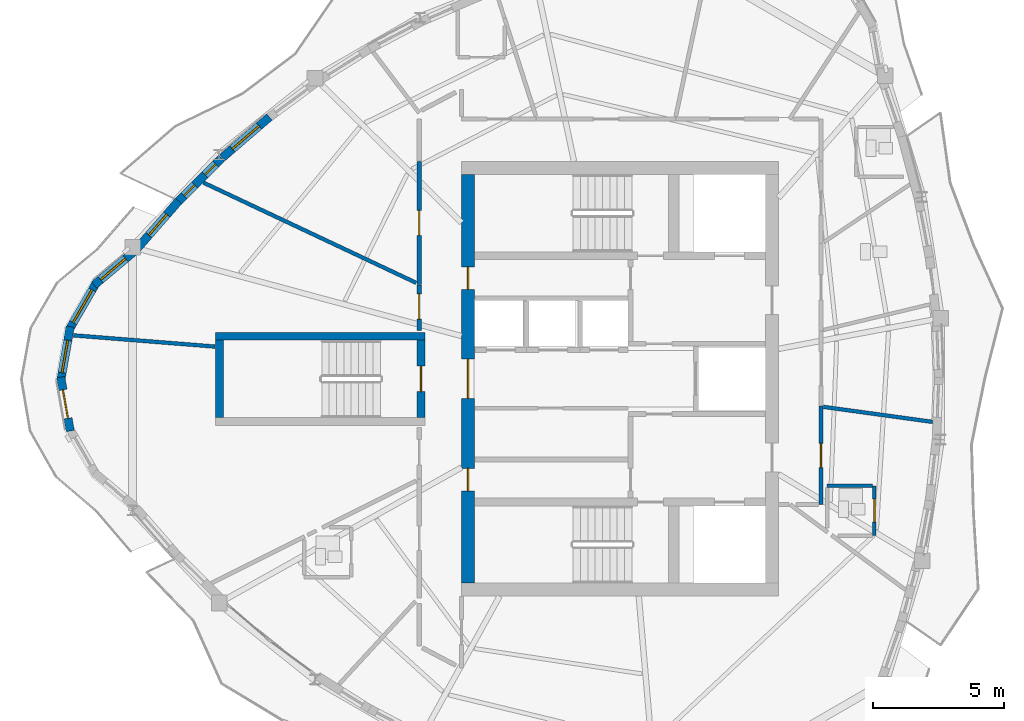
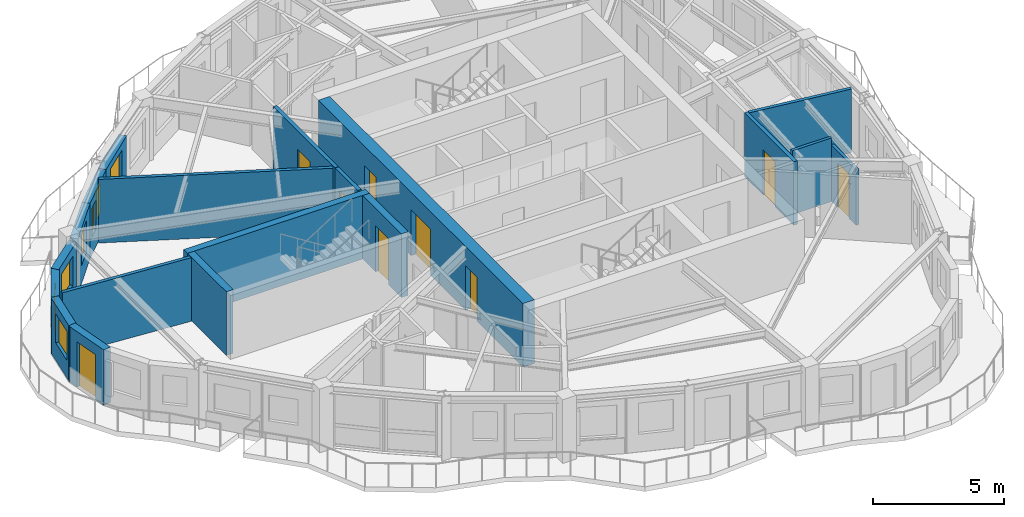
# One storey, part 6 of 13: 19 walls, 9 doors, 7 windows, 16 openings.
"""IFC4 building model written with IfcOpenShell, lengths in metres."""

from ifc_helpers import new_model, si_unit, direction, frame, frame_2d, origin, place, context, subcontext, project, spatial, rectangle, extrude, source, transform, mapped, material, layer, layer_set, type_object, element, fill, save


model = new_model("IFC4")

# Units and contexts
model_context = context("Model", 3, precision=1e-05, world=origin(), true_north=direction((0.0, 1.0)))
body_context = subcontext(model_context, "Body", "Model", "MODEL_VIEW")
ifc_project = project(units=[si_unit("LENGTHUNIT", "METRE"), si_unit("AREAUNIT", "SQUARE_METRE"), si_unit("VOLUMEUNIT", "CUBIC_METRE"), si_unit("PLANEANGLEUNIT", "RADIAN"), si_unit("MASSUNIT", "GRAM", prefix="KILO")], contexts=[model_context])

# Site, building, storey
site_placement = place(None, origin())
site = spatial("IfcSite", under=ifc_project, at=site_placement, CompositionType="ELEMENT")
building_placement = place(site_placement, origin())
building = spatial("IfcBuilding", under=site, at=building_placement, Name="Qafzar Sky-Pleat Residences", CompositionType="ELEMENT")
storey_placement = place(building_placement, frame((0.0, 0.0, 195.60009765625)))
storey = spatial("IfcBuildingStorey", under=building, at=storey_placement, Name="L58", CompositionType="ELEMENT", Elevation=195.60009765625)

# Wall, opening, door
ifc_material_1 = material(Name="Acoustic gypsum plasterboard partition", Category="gypsum")
ifc_layer_1 = layer(ifc_material_1, 0.159912109375)
ifc_layer_set_1 = layer_set([ifc_layer_1], Name="Acoustic gypsum plasterboard partition")
wall_type_1 = type_object("IfcWallType", Name="PART-COR-160", PredefinedType="PARTITIONING", material=ifc_layer_set_1)
wall_1_placement = place(storey_placement, frame((22.679931640625, 29.595947265625, 0.0), z_axis=(0.0, 0.0, 1.0), x_axis=(0.0, 1.0, 0.0)))
wall_1 = element("IfcWall", 1, at=wall_1_placement, inside=storey, type_object=wall_type_1, Name="L58 Partition Wall PART-L58-PW-002", PredefinedType="PARTITIONING", context=body_context, shape_type="SweptSolid", body=[
    extrude(rectangle(XDim=4.7041015625, YDim=0.159912109375, at=frame_2d((2.35205078125, 0.0))), origin(), (0.0, 0.0, 1.0), 2.9599609375),
])
opening_1_placement = place(wall_1_placement, frame((1.8798828125, 0.0, 0.0)))
opening_1 = element("IfcOpeningElement", 2, at=opening_1_placement, cuts=wall_1, Name="Opening ID-06", PredefinedType="OPENING", context=body_context, shape_type="SweptSolid", body=[
    extrude(rectangle(XDim=0.9599609375, YDim=2.10009765625, at=frame_2d((0.47998046875, 1.050048828125))), frame((0.0, 0.08984375, 0.0), z_axis=(0.0, -1.0, 0.0), x_axis=(1.0, 0.0, 0.0)), (0.0, 0.0, 1.0), 0.179931640625),
])
ifc_material_2 = material(Name="Timber-faced fire door", Category="wood")
door_type_1 = type_object("IfcDoorType", Name="DR-STD-960", OperationType="NOTDEFINED", PredefinedType="DOOR", material=ifc_material_2)
shared_shape_1 = source(origin(), body_context, "Body", "SweptSolid", [
    extrude(rectangle(XDim=0.9599609375, YDim=2.10009765625, at=frame_2d((0.47998046875, 1.050048828125))), frame((0.0, 0.02490234375, 0.0), z_axis=(0.0, -1.0, 0.0), x_axis=(1.0, 0.0, 0.0)), (0.0, 0.0, 1.0), 0.050048828125),
])
door_1_placement = place(opening_1_placement, origin())
door_1 = element("IfcDoor", 3, at=door_1_placement, inside=storey, type_object=door_type_1, Name="L58 Quiet Prayer Room Door", OperationType="SINGLE_SWING_LEFT", OverallHeight=2.10009765625, OverallWidth=0.9599609375, PredefinedType="DOOR", context=body_context, shape_type="MappedRepresentation", body=[
    mapped(shared_shape_1, transform((0.0, 0.0, 0.0), x_axis=(1.0, 0.0, 0.0), y_axis=(0.0, 1.0, 0.0), z_axis=(0.0, 0.0, 1.0), scale=1.0)),
])
fill(opening_1, door_1)

wall_2_placement = place(storey_placement, frame((38.02001953125, 24.958984375, 0.0), z_axis=(0.0, 0.0, 1.0), x_axis=(0.0, -1.0, 0.0)))
wall_2 = element("IfcWall", 4, at=wall_2_placement, inside=storey, type_object=wall_type_1, Name="L58 Partition Wall PART-L58-PW-005", PredefinedType="PARTITIONING", context=body_context, shape_type="SweptSolid", body=[
    extrude(rectangle(XDim=3.759033203125, YDim=0.159912109375, at=frame_2d((1.87939453125, 0.0))), origin(), (0.0, 0.0, 1.0), 2.9599609375),
])
opening_2_placement = place(wall_2_placement, frame((1.427490234375, 0.0, 0.0)))
opening_2 = element("IfcOpeningElement", 5, at=opening_2_placement, cuts=wall_2, Name="Opening ID-04", PredefinedType="OPENING", context=body_context, shape_type="SweptSolid", body=[
    extrude(rectangle(XDim=0.919921875, YDim=2.10009765625, at=frame_2d((0.4599609375, 1.050048828125))), frame((0.0, 0.08984375, 0.0), z_axis=(0.0, -1.0, 0.0), x_axis=(1.0, 0.0, 0.0)), (0.0, 0.0, 1.0), 0.179931640625),
])
door_type_2 = type_object("IfcDoorType", Name="DR-BED-920", OperationType="NOTDEFINED", PredefinedType="DOOR", material=ifc_material_2)
shared_shape_2 = source(origin(), body_context, "Body", "SweptSolid", [
    extrude(rectangle(XDim=0.919921875, YDim=2.10009765625, at=frame_2d((0.4599609375, 1.050048828125))), frame((0.0, 0.02490234375, 0.0), z_axis=(0.0, -1.0, 0.0), x_axis=(1.0, 0.0, 0.0)), (0.0, 0.0, 1.0), 0.050048828125),
])
door_2_placement = place(opening_2_placement, origin())
door_2 = element("IfcDoor", 6, at=door_2_placement, inside=storey, type_object=door_type_2, Name="L58 Co-Living Bedroom 2 Door", OperationType="SINGLE_SWING_LEFT", OverallHeight=2.10009765625, OverallWidth=0.919921875, PredefinedType="DOOR", context=body_context, shape_type="MappedRepresentation", body=[
    mapped(shared_shape_2, transform((0.0, 0.0, 0.0), x_axis=(1.0, 0.0, 0.0), y_axis=(0.0, 1.0, 0.0), z_axis=(0.0, 0.0, 1.0), scale=1.0)),
])
fill(opening_2, door_2)

wall_3_placement = place(storey_placement, frame((22.679931640625, 27.85009765625, 0.0), z_axis=(0.0, 0.0, 1.0), x_axis=(0.0, 1.0, 0.0)))
wall_3 = element("IfcWall", 7, at=wall_3_placement, inside=storey, type_object=wall_type_1, Name="L58 Partition Wall PART-L58-PW-015", PredefinedType="PARTITIONING", context=body_context, shape_type="SweptSolid", body=[
    extrude(rectangle(XDim=1.73095703125, YDim=0.159912109375, at=frame_2d((0.865478515625, 0.0))), origin(), (0.0, 0.0, 1.0), 2.9599609375),
])
opening_3_placement = place(wall_3_placement, frame((0.430419921875, 0.0, 0.0)))
opening_3 = element("IfcOpeningElement", 8, at=opening_3_placement, cuts=wall_3, Name="Opening ID-06", PredefinedType="OPENING", context=body_context, shape_type="SweptSolid", body=[
    extrude(rectangle(XDim=0.9599609375, YDim=2.10009765625, at=frame_2d((0.47998046875, 1.050048828125))), frame((0.0, 0.08984375, 0.0), z_axis=(0.0, -1.0, 0.0), x_axis=(1.0, 0.0, 0.0)), (0.0, 0.0, 1.0), 0.179931640625),
])
door_3_placement = place(opening_3_placement, origin())
door_3 = element("IfcDoor", 9, at=door_3_placement, inside=storey, type_object=door_type_1, Name="L58 Media Screening Room Door", OperationType="SINGLE_SWING_RIGHT", OverallHeight=2.10009765625, OverallWidth=0.9599609375, PredefinedType="DOOR", context=body_context, shape_type="MappedRepresentation", body=[
    mapped(shared_shape_1, transform((0.0, 0.0, 0.0), x_axis=(1.0, 0.0, 0.0), y_axis=(0.0, 1.0, 0.0), z_axis=(0.0, 0.0, 1.0), scale=1.0)),
])
fill(opening_3, door_3)

# Walls
ifc_layer_2 = layer(ifc_material_1, 0.14501953125)
ifc_layer_set_2 = layer_set([ifc_layer_2], Name="Acoustic gypsum plasterboard partition")
wall_type_2 = type_object("IfcWallType", Name="PART-UNIT-145", PredefinedType="PARTITIONING", material=ifc_layer_set_2)
wall_4_placement = place(storey_placement, frame((14.4453125, 33.490478515625, 0.0), z_axis=(0.0, 0.0, 1.0), x_axis=(0.904673727325, -0.426104971912, 0.0)))
element("IfcWall", 10, at=wall_4_placement, inside=storey, type_object=wall_type_2, Name="L58 Partition Wall PART-L58-PW-017", PredefinedType="PARTITIONING", context=body_context, shape_type="SweptSolid", body=[
    extrude(rectangle(XDim=8.971923828125, YDim=0.14501953125, at=frame_2d((4.48583984375, 0.0))), origin(), (0.0, 0.0, 1.0), 2.9599609375),
])
wall_5_placement = place(storey_placement, frame((9.472900390625, 27.660888671875, 0.0), z_axis=(0.0, 0.0, 1.0), x_axis=(0.996864548282, -0.079126938392, 0.0)))
element("IfcWall", 11, at=wall_5_placement, inside=storey, type_object=wall_type_2, Name="L58 Partition Wall PART-L58-PW-019", PredefinedType="PARTITIONING", context=body_context, shape_type="SweptSolid", body=[
    extrude(rectangle(XDim=5.430419921875, YDim=0.14501953125, at=frame_2d((2.71533203125, 0.0))), origin(), (0.0, 0.0, 1.0), 2.9599609375),
])
wall_6_placement = place(storey_placement, frame((38.117919921875, 24.929443359375, 0.0), z_axis=(0.0, 0.0, 1.0), x_axis=(0.990658246077, -0.136368029533, 0.0)))
element("IfcWall", 12, at=wall_6_placement, inside=storey, type_object=wall_type_2, Name="L58 Partition Wall PART-L58-PW-022", PredefinedType="PARTITIONING", context=body_context, shape_type="SweptSolid", body=[
    extrude(rectangle(XDim=4.201904296875, YDim=0.14501953125, at=frame_2d((2.10107421875, 0.0))), origin(), (0.0, 0.0, 1.0), 2.9599609375),
])

# Wall, opening, door
ifc_material_3 = material(Name="Moisture-resistant gypsum partition", Category="gypsum")
ifc_layer_3 = layer(ifc_material_3, 0.1298828125)
ifc_layer_set_3 = layer_set([ifc_layer_3], Name="Moisture-resistant gypsum partition")
wall_type_3 = type_object("IfcWallType", Name="PART-WET-130", PredefinedType="PARTITIONING", material=ifc_layer_set_3)
wall_7_placement = place(storey_placement, frame((40.06005859375, 20.014892578125, 0.0), z_axis=(0.0, 0.0, 1.0), x_axis=(0.0, 1.0, 0.0)))
wall_7 = element("IfcWall", 13, at=wall_7_placement, inside=storey, type_object=wall_type_3, Name="L58 Partition Wall PART-L58-PW-013", PredefinedType="PARTITIONING", context=body_context, shape_type="SweptSolid", body=[
    extrude(rectangle(XDim=1.900146484375, YDim=0.1298828125, at=frame_2d((0.9501953125, 0.0))), origin(), (0.0, 0.0, 1.0), 2.597900390625),
])
opening_4_placement = place(wall_7_placement, frame((0.510009765625, 0.0, 0.0)))
opening_4 = element("IfcOpeningElement", 14, at=opening_4_placement, cuts=wall_7, Name="Opening ID-07", PredefinedType="OPENING", context=body_context, shape_type="SweptSolid", body=[
    extrude(rectangle(XDim=0.8798828125, YDim=2.050048828125, at=frame_2d((0.43994140625, 1.02490234375))), frame((0.0, 0.074951171875, 0.0), z_axis=(0.0, -1.0, 0.0), x_axis=(1.0, 0.0, 0.0)), (0.0, 0.0, 1.0), 0.14990234375),
])
door_type_3 = type_object("IfcDoorType", Name="DR-WET-880", OperationType="NOTDEFINED", PredefinedType="DOOR", material=ifc_material_2)
shared_shape_3 = source(origin(), body_context, "Body", "SweptSolid", [
    extrude(rectangle(XDim=0.8798828125, YDim=2.050048828125, at=frame_2d((0.43994140625, 1.02490234375))), frame((0.0, 0.02490234375, 0.0), z_axis=(0.0, -1.0, 0.0), x_axis=(1.0, 0.0, 0.0)), (0.0, 0.0, 1.0), 0.050048828125),
])
door_4_placement = place(opening_4_placement, origin())
door_4 = element("IfcDoor", 15, at=door_4_placement, inside=storey, type_object=door_type_3, Name="L58 En-suite Bathroom 2 Door", OperationType="SINGLE_SWING_RIGHT", OverallHeight=2.050048828125, OverallWidth=0.8798828125, PredefinedType="DOOR", context=body_context, shape_type="MappedRepresentation", body=[
    mapped(shared_shape_3, transform((0.0, 0.0, 0.0), x_axis=(1.0, 0.0, 0.0), y_axis=(0.0, 1.0, 0.0), z_axis=(0.0, 0.0, 1.0), scale=1.0)),
])
fill(opening_4, door_4)

# Wall
wall_8_placement = place(storey_placement, frame((38.260009765625, 21.9150390625, 0.0), z_axis=(0.0, 0.0, 1.0), x_axis=(1.0, 0.0, 0.0)))
element("IfcWall", 16, at=wall_8_placement, inside=storey, type_object=wall_type_3, Name="L58 Partition Wall PART-L58-PW-032", PredefinedType="PARTITIONING", context=body_context, shape_type="SweptSolid", body=[
    extrude(rectangle(XDim=1.72705078125, YDim=0.1298828125, at=frame_2d((0.863525390625, 0.0))), origin(), (0.0, 0.0, 1.0), 2.9599609375),
])

# Wall, opening, window
ifc_material_4 = material(Name="Precast concrete C40/50 with honed Riyadh limestone", Category="concrete")
ifc_layer_4 = layer(ifc_material_4, 0.320068359375)
ifc_layer_set_4 = layer_set([ifc_layer_4], Name="Precast concrete C40/50 with honed Riyadh limestone")
wall_type_4 = type_object("IfcWallType", Name="WALL-EXT-320", PredefinedType="SOLIDWALL", material=ifc_layer_set_4)
wall_9_placement = place(storey_placement, frame((11.77392578125, 30.842529296875, 0.0), z_axis=(0.0, 0.0, 1.0), x_axis=(-0.766116451135, -0.642701784112, 0.0)))
wall_9 = element("IfcWall", 17, at=wall_9_placement, inside=storey, type_object=wall_type_4, Name="L58 Limestone Facade Wall 1", PredefinedType="SOLIDWALL", context=body_context, shape_type="SweptSolid", body=[
    extrude(rectangle(XDim=1.96240234375, YDim=0.320068359375, at=frame_2d((0.981201171875, 0.0))), origin(), (0.0, 0.0, 1.0), 2.579833984375),
])
opening_5_placement = place(wall_9_placement, frame((0.39111328125, 0.0, 0.820068359375)))
opening_5 = element("IfcOpeningElement", 18, at=opening_5_placement, cuts=wall_9, Name="Opening WN-11", PredefinedType="OPENING", context=body_context, shape_type="SweptSolid", body=[
    extrude(rectangle(XDim=1.25, YDim=1.35009765625, at=frame_2d((0.625, 0.675048828125))), frame((0.0, 0.169921875, 0.0), z_axis=(0.0, -1.0, 0.0), x_axis=(1.0, 0.0, 0.0)), (0.0, 0.0, 1.0), 0.340087890625),
])
ifc_material_5 = material(Name="Solar-control low-E glass in bronze aluminium frame", Category="glass")
window_type_1 = type_object("IfcWindowType", Name="WIN-11", PartitioningType="SINGLE_PANEL", PredefinedType="WINDOW", material=ifc_material_5)
shared_shape_4 = source(origin(), body_context, "Body", "SweptSolid", [
    extrude(rectangle(XDim=1.25, YDim=1.35009765625, at=frame_2d((0.625, 0.675048828125))), frame((0.0, 0.030029296875, 0.0), z_axis=(0.0, -1.0, 0.0), x_axis=(1.0, 0.0, 0.0)), (0.0, 0.0, 1.0), 0.06005859375),
])
window_1_placement = place(opening_5_placement, origin())
window_1 = element("IfcWindow", 19, at=window_1_placement, inside=storey, type_object=window_type_1, Name="L58 Punched Facade Window 01", OverallHeight=1.35009765625, OverallWidth=1.25, PartitioningType="SINGLE_PANEL", PredefinedType="WINDOW", context=body_context, shape_type="MappedRepresentation", body=[
    mapped(shared_shape_4, transform((0.0, 0.0, 0.0), x_axis=(1.0, 0.0, 0.0), y_axis=(0.0, 1.0, 0.0), z_axis=(0.0, 0.0, 1.0), scale=1.0)),
])
fill(opening_5, window_1)

wall_10_placement = place(storey_placement, frame((10.3544921875, 29.68115234375, 0.0), z_axis=(0.0, 0.0, 1.0), x_axis=(-0.499995423472, -0.866028046028, 0.0)))
wall_10 = element("IfcWall", 20, at=wall_10_placement, inside=storey, type_object=wall_type_4, Name="L58 Limestone Facade Wall 2", PredefinedType="SOLIDWALL", context=body_context, shape_type="SweptSolid", body=[
    extrude(rectangle(XDim=2.09033203125, YDim=0.320068359375, at=frame_2d((1.045166015625, 0.0))), origin(), (0.0, 0.0, 1.0), 2.579833984375),
])
opening_6_placement = place(wall_10_placement, frame((0.3203125, 0.0, 0.820068359375)))
opening_6 = element("IfcOpeningElement", 21, at=opening_6_placement, cuts=wall_10, Name="Opening WN-15", PredefinedType="OPENING", context=body_context, shape_type="SweptSolid", body=[
    extrude(rectangle(XDim=1.449951171875, YDim=1.25, at=frame_2d((0.72509765625, 0.625))), frame((0.0, 0.169921875, 0.0), z_axis=(0.0, -1.0, 0.0), x_axis=(1.0, 0.0, 0.0)), (0.0, 0.0, 1.0), 0.340087890625),
])
window_type_2 = type_object("IfcWindowType", Name="WIN-15", PartitioningType="SINGLE_PANEL", PredefinedType="WINDOW", material=ifc_material_5)
shared_shape_5 = source(origin(), body_context, "Body", "SweptSolid", [
    extrude(rectangle(XDim=1.449951171875, YDim=1.25, at=frame_2d((0.72509765625, 0.625))), frame((0.0, 0.030029296875, 0.0), z_axis=(0.0, -1.0, 0.0), x_axis=(1.0, 0.0, 0.0)), (0.0, 0.0, 1.0), 0.06005859375),
])
window_2_placement = place(opening_6_placement, origin())
window_2 = element("IfcWindow", 22, at=window_2_placement, inside=storey, type_object=window_type_2, Name="L58 Punched Facade Window 02", OverallHeight=1.25, OverallWidth=1.449951171875, PartitioningType="SINGLE_PANEL", PredefinedType="WINDOW", context=body_context, shape_type="MappedRepresentation", body=[
    mapped(shared_shape_5, transform((0.0, 0.0, 0.0), x_axis=(1.0, 0.0, 0.0), y_axis=(0.0, 1.0, 0.0), z_axis=(0.0, 0.0, 1.0), scale=1.0)),
])
fill(opening_6, window_2)

wall_11_placement = place(storey_placement, frame((9.35400390625, 27.993408203125, 0.0), z_axis=(0.0, 0.0, 1.0), x_axis=(-0.173672066494, -0.984803540469, 0.0)))
wall_11 = element("IfcWall", 23, at=wall_11_placement, inside=storey, type_object=wall_type_4, Name="L58 Limestone Facade Wall 3", PredefinedType="SOLIDWALL", context=body_context, shape_type="SweptSolid", body=[
    extrude(rectangle(XDim=2.09033203125, YDim=0.320068359375, at=frame_2d((1.045166015625, 0.0))), origin(), (0.0, 0.0, 1.0), 2.579833984375),
])
opening_7_placement = place(wall_11_placement, frame((0.53466796875, 0.0, 0.820068359375)))
opening_7 = element("IfcOpeningElement", 24, at=opening_7_placement, cuts=wall_11, Name="Opening WN-11", PredefinedType="OPENING", context=body_context, shape_type="SweptSolid", body=[
    extrude(rectangle(XDim=1.25, YDim=1.35009765625, at=frame_2d((0.625, 0.675048828125))), frame((0.0, 0.169921875, 0.0), z_axis=(0.0, -1.0, 0.0), x_axis=(1.0, 0.0, 0.0)), (0.0, 0.0, 1.0), 0.340087890625),
])
window_3_placement = place(opening_7_placement, origin())
window_3 = element("IfcWindow", 25, at=window_3_placement, inside=storey, type_object=window_type_1, Name="L58 Punched Facade Window 03", OverallHeight=1.35009765625, OverallWidth=1.25, PartitioningType="SINGLE_PANEL", PredefinedType="WINDOW", context=body_context, shape_type="MappedRepresentation", body=[
    mapped(shared_shape_4, transform((0.0, 0.0, 0.0), x_axis=(1.0, 0.0, 0.0), y_axis=(0.0, 1.0, 0.0), z_axis=(0.0, 0.0, 1.0), scale=1.0)),
])
fill(opening_7, window_3)

# Wall, opening, door
wall_12_placement = place(storey_placement, frame((8.990966796875, 26.065185546875, 0.0), z_axis=(0.0, 0.0, 1.0), x_axis=(0.173672066494, -0.984803540469, 0.0)))
wall_12 = element("IfcWall", 26, at=wall_12_placement, inside=storey, type_object=wall_type_4, Name="L58 Limestone Facade Wall 4", PredefinedType="SOLIDWALL", context=body_context, shape_type="SweptSolid", body=[
    extrude(rectangle(XDim=2.09033203125, YDim=0.320068359375, at=frame_2d((1.045166015625, 0.0))), origin(), (0.0, 0.0, 1.0), 2.579833984375),
])
opening_8_placement = place(wall_12_placement, frame((0.4951171875, 0.0, 0.0)))
opening_8 = element("IfcOpeningElement", 27, at=opening_8_placement, cuts=wall_12, Name="Opening ED-06", PredefinedType="OPENING", context=body_context, shape_type="SweptSolid", body=[
    extrude(rectangle(XDim=1.10009765625, YDim=2.10009765625, at=frame_2d((0.550048828125, 1.050048828125))), frame((0.0, 0.169921875, 0.0), z_axis=(0.0, -1.0, 0.0), x_axis=(1.0, 0.0, 0.0)), (0.0, 0.0, 1.0), 0.340087890625),
])
ifc_material_6 = material(Name="Glazed bronze aluminium door", Category="aluminium")
door_type_4 = type_object("IfcDoorType", Name="DR-BAL-1100", OperationType="NOTDEFINED", PredefinedType="DOOR", material=ifc_material_6)
shared_shape_6 = source(origin(), body_context, "Body", "SweptSolid", [
    extrude(rectangle(XDim=1.10009765625, YDim=2.10009765625, at=frame_2d((0.550048828125, 1.050048828125))), frame((0.0, 0.02490234375, 0.0), z_axis=(0.0, -1.0, 0.0), x_axis=(1.0, 0.0, 0.0)), (0.0, 0.0, 1.0), 0.050048828125),
])
door_5_placement = place(opening_8_placement, origin())
door_5 = element("IfcDoor", 28, at=door_5_placement, inside=storey, type_object=door_type_4, Name="L58 Terrace Glazed Door 1", OperationType="SINGLE_SWING_RIGHT", OverallHeight=2.10009765625, OverallWidth=1.10009765625, PredefinedType="DOOR", context=body_context, shape_type="MappedRepresentation", body=[
    mapped(shared_shape_6, transform((0.0, 0.0, 0.0), x_axis=(1.0, 0.0, 0.0), y_axis=(0.0, 1.0, 0.0), z_axis=(0.0, 0.0, 1.0), scale=1.0)),
])
fill(opening_8, door_5)

# Wall, opening, window
wall_13_placement = place(storey_placement, frame((16.9619140625, 35.996826171875, 0.0), z_axis=(0.0, 0.0, 1.0), x_axis=(-0.757474860475, -0.652864331808, 0.0)))
wall_13 = element("IfcWall", 29, at=wall_13_placement, inside=storey, type_object=wall_type_4, Name="L58 Limestone Facade Wall 46", PredefinedType="SOLIDWALL", context=body_context, shape_type="SweptSolid", body=[
    extrude(rectangle(XDim=2.37353515625, YDim=0.320068359375, at=frame_2d((1.186767578125, 0.0))), origin(), (0.0, 0.0, 1.0), 2.579833984375),
])
opening_9_placement = place(wall_13_placement, frame((0.521728515625, 0.0, 0.820068359375)))
opening_9 = element("IfcOpeningElement", 30, at=opening_9_placement, cuts=wall_13, Name="Opening WN-04", PredefinedType="OPENING", context=body_context, shape_type="SweptSolid", body=[
    extrude(rectangle(XDim=1.35009765625, YDim=1.449951171875, at=frame_2d((0.675048828125, 0.72509765625))), frame((0.0, 0.169921875, 0.0), z_axis=(0.0, -1.0, 0.0), x_axis=(1.0, 0.0, 0.0)), (0.0, 0.0, 1.0), 0.340087890625),
])
window_type_3 = type_object("IfcWindowType", Name="WIN-04", PartitioningType="SINGLE_PANEL", PredefinedType="WINDOW", material=ifc_material_5)
shared_shape_7 = source(origin(), body_context, "Body", "SweptSolid", [
    extrude(rectangle(XDim=1.35009765625, YDim=1.449951171875, at=frame_2d((0.675048828125, 0.72509765625))), frame((0.0, 0.030029296875, 0.0), z_axis=(0.0, -1.0, 0.0), x_axis=(1.0, 0.0, 0.0)), (0.0, 0.0, 1.0), 0.06005859375),
])
window_4_placement = place(opening_9_placement, origin())
window_4 = element("IfcWindow", 31, at=window_4_placement, inside=storey, type_object=window_type_3, Name="L58 Punched Facade Window 46", OverallHeight=1.449951171875, OverallWidth=1.35009765625, PartitioningType="SINGLE_PANEL", PredefinedType="WINDOW", context=body_context, shape_type="MappedRepresentation", body=[
    mapped(shared_shape_7, transform((0.0, 0.0, 0.0), x_axis=(1.0, 0.0, 0.0), y_axis=(0.0, 1.0, 0.0), z_axis=(0.0, 0.0, 1.0), scale=1.0)),
])
fill(opening_9, window_4)

# Wall, openings, windows
wall_14_placement = place(storey_placement, frame((15.143310546875, 34.427978515625, 0.0), z_axis=(0.0, 0.0, 1.0), x_axis=(-0.708370597245, -0.705840702255, 0.0)))
wall_14 = element("IfcWall", 32, at=wall_14_placement, inside=storey, type_object=wall_type_4, Name="L58 Limestone Facade Wall 47", PredefinedType="SOLIDWALL", context=body_context, shape_type="SweptSolid", body=[
    extrude(rectangle(XDim=2.41259765625, YDim=0.320068359375, at=frame_2d((1.206298828125, 0.0))), origin(), (0.0, 0.0, 1.0), 2.579833984375),
])
opening_10_placement = place(wall_14_placement, frame((0.322021484375, 0.0, 0.820068359375)))
opening_10 = element("IfcOpeningElement", 33, at=opening_10_placement, cuts=wall_14, Name="Opening WN-17", PredefinedType="OPENING", context=body_context, shape_type="SweptSolid", body=[
    extrude(rectangle(XDim=0.580078125, YDim=1.35009765625, at=frame_2d((0.2900390625, 0.675048828125))), frame((0.0, 0.169921875, 0.0), z_axis=(0.0, -1.0, 0.0), x_axis=(1.0, 0.0, 0.0)), (0.0, 0.0, 1.0), 0.340087890625),
])
opening_11_placement = place(wall_14_placement, frame((1.458251953125, 0.0, 0.820068359375)))
opening_11 = element("IfcOpeningElement", 34, at=opening_11_placement, cuts=wall_14, Name="Opening WN-17", PredefinedType="OPENING", context=body_context, shape_type="SweptSolid", body=[
    extrude(rectangle(XDim=0.580078125, YDim=1.35009765625, at=frame_2d((0.2900390625, 0.675048828125))), frame((0.0, 0.169921875, 0.0), z_axis=(0.0, -1.0, 0.0), x_axis=(1.0, 0.0, 0.0)), (0.0, 0.0, 1.0), 0.340087890625),
])
window_type_4 = type_object("IfcWindowType", Name="WIN-17", PartitioningType="SINGLE_PANEL", PredefinedType="WINDOW", material=ifc_material_5)
shared_shape_8 = source(origin(), body_context, "Body", "SweptSolid", [
    extrude(rectangle(XDim=0.580078125, YDim=1.35009765625, at=frame_2d((0.2900390625, 0.675048828125))), frame((0.0, 0.030029296875, 0.0), z_axis=(0.0, -1.0, 0.0), x_axis=(1.0, 0.0, 0.0)), (0.0, 0.0, 1.0), 0.06005859375),
])
window_5_placement = place(opening_10_placement, origin())
window_5 = element("IfcWindow", 35, at=window_5_placement, inside=storey, type_object=window_type_4, Name="L58 Punched Facade Window 47", OverallHeight=1.35009765625, OverallWidth=0.580078125, PartitioningType="SINGLE_PANEL", PredefinedType="WINDOW", context=body_context, shape_type="MappedRepresentation", body=[
    mapped(shared_shape_8, transform((0.0, 0.0, 0.0), x_axis=(1.0, 0.0, 0.0), y_axis=(0.0, 1.0, 0.0), z_axis=(0.0, 0.0, 1.0), scale=1.0)),
])
fill(opening_10, window_5)
window_6_placement = place(opening_11_placement, origin())
window_6 = element("IfcWindow", 36, at=window_6_placement, inside=storey, type_object=window_type_4, Name="L58 Punched Facade Window 47-2", OverallHeight=1.35009765625, OverallWidth=0.580078125, PartitioningType="SINGLE_PANEL", PredefinedType="WINDOW", context=body_context, shape_type="MappedRepresentation", body=[
    mapped(shared_shape_8, transform((0.0, 0.0, 0.0), x_axis=(1.0, 0.0, 0.0), y_axis=(0.0, 1.0, 0.0), z_axis=(0.0, 0.0, 1.0), scale=1.0)),
])
fill(opening_11, window_6)

# Wall, opening, window
wall_15_placement = place(storey_placement, frame((13.493896484375, 32.788818359375, 0.0), z_axis=(0.0, 0.0, 1.0), x_axis=(-0.65765213646, -0.753321755566, 0.0)))
wall_15 = element("IfcWall", 37, at=wall_15_placement, inside=storey, type_object=wall_type_4, Name="L58 Limestone Facade Wall 48", PredefinedType="SOLIDWALL", context=body_context, shape_type="SweptSolid", body=[
    extrude(rectangle(XDim=2.393798828125, YDim=0.320068359375, at=frame_2d((1.19677734375, 0.0))), origin(), (0.0, 0.0, 1.0), 2.579833984375),
])
opening_12_placement = place(wall_15_placement, frame((0.6767578125, 0.0, 0.820068359375)))
opening_12 = element("IfcOpeningElement", 38, at=opening_12_placement, cuts=wall_15, Name="Opening WN-06", PredefinedType="OPENING", context=body_context, shape_type="SweptSolid", body=[
    extrude(rectangle(XDim=1.050048828125, YDim=1.449951171875, at=frame_2d((0.52490234375, 0.72509765625))), frame((0.0, 0.169921875, 0.0), z_axis=(0.0, -1.0, 0.0), x_axis=(1.0, 0.0, 0.0)), (0.0, 0.0, 1.0), 0.340087890625),
])
window_type_5 = type_object("IfcWindowType", Name="WIN-06", PartitioningType="SINGLE_PANEL", PredefinedType="WINDOW", material=ifc_material_5)
shared_shape_9 = source(origin(), body_context, "Body", "SweptSolid", [
    extrude(rectangle(XDim=1.050048828125, YDim=1.449951171875, at=frame_2d((0.52490234375, 0.72509765625))), frame((0.0, 0.030029296875, 0.0), z_axis=(0.0, -1.0, 0.0), x_axis=(1.0, 0.0, 0.0)), (0.0, 0.0, 1.0), 0.06005859375),
])
window_7_placement = place(opening_12_placement, origin())
window_7 = element("IfcWindow", 39, at=window_7_placement, inside=storey, type_object=window_type_5, Name="L58 Punched Facade Window 48", OverallHeight=1.449951171875, OverallWidth=1.050048828125, PartitioningType="SINGLE_PANEL", PredefinedType="WINDOW", context=body_context, shape_type="MappedRepresentation", body=[
    mapped(shared_shape_9, transform((0.0, 0.0, 0.0), x_axis=(1.0, 0.0, 0.0), y_axis=(0.0, 1.0, 0.0), z_axis=(0.0, 0.0, 1.0), scale=1.0)),
])
fill(opening_12, window_7)

# Walls
ifc_material_7 = material(Name="Concrete C60/75", Category="concrete")
ifc_layer_5 = layer(ifc_material_7, 0.300048828125)
ifc_layer_set_5 = layer_set([ifc_layer_5], Name="Concrete C60/75")
wall_type_5 = type_object("IfcWallType", Name="WALL-SHEAR-300", PredefinedType="SHEAR", material=ifc_layer_set_5)
wall_16_placement = place(storey_placement, frame((22.89990234375, 27.625, 0.0), z_axis=(0.0, 0.0, 1.0), x_axis=(-1.0, 0.0, 0.0)))
element("IfcWall", 40, at=wall_16_placement, inside=storey, type_object=wall_type_5, Name="L58 ST3 wall N", PredefinedType="SHEAR", context=body_context, shape_type="SweptSolid", body=[
    extrude(rectangle(XDim=8.0, YDim=0.300048828125, at=frame_2d((4.0, 0.0))), origin(), (0.0, 0.0, 1.0), 2.9599609375),
])
wall_17_placement = place(storey_placement, frame((15.050048828125, 27.47509765625, 0.0), z_axis=(0.0, 0.0, 1.0), x_axis=(0.0, -1.0, 0.0)))
element("IfcWall", 41, at=wall_17_placement, inside=storey, type_object=wall_type_5, Name="L58 ST3 wall W", PredefinedType="SHEAR", context=body_context, shape_type="SweptSolid", body=[
    extrude(rectangle(XDim=2.9501953125, YDim=0.300048828125, at=frame_2d((1.47509765625, 0.0))), origin(), (0.0, 0.0, 1.0), 2.9599609375),
])

# Wall, opening, door
wall_18_placement = place(storey_placement, frame((22.75, 24.52490234375, 0.0), z_axis=(0.0, 0.0, 1.0), x_axis=(0.0, 1.0, 0.0)))
wall_18 = element("IfcWall", 42, at=wall_18_placement, inside=storey, type_object=wall_type_5, Name="L58 ST3 wall E", PredefinedType="SHEAR", context=body_context, shape_type="SweptSolid", body=[
    extrude(rectangle(XDim=2.9501953125, YDim=0.300048828125, at=frame_2d((1.47509765625, 0.0))), origin(), (0.0, 0.0, 1.0), 2.9599609375),
])
opening_13_placement = place(wall_18_placement, frame((0.985107421875, 0.0, 0.0)))
opening_13 = element("IfcOpeningElement", 43, at=opening_13_placement, cuts=wall_18, Name="Opening ID-01", PredefinedType="OPENING", context=body_context, shape_type="SweptSolid", body=[
    extrude(rectangle(XDim=0.97998046875, YDim=2.14990234375, at=frame_2d((0.489990234375, 1.074951171875))), frame((0.0, 0.16015625, 0.0), z_axis=(0.0, -1.0, 0.0), x_axis=(1.0, 0.0, 0.0)), (0.0, 0.0, 1.0), 0.320068359375),
])
door_type_5 = type_object("IfcDoorType", Name="DR-STAIR-980", OperationType="NOTDEFINED", PredefinedType="DOOR", material=ifc_material_2)
shared_shape_10 = source(origin(), body_context, "Body", "SweptSolid", [
    extrude(rectangle(XDim=0.97998046875, YDim=2.14990234375, at=frame_2d((0.489990234375, 1.074951171875))), frame((0.0, 0.02490234375, 0.0), z_axis=(0.0, -1.0, 0.0), x_axis=(1.0, 0.0, 0.0)), (0.0, 0.0, 1.0), 0.050048828125),
])
door_6_placement = place(opening_13_placement, origin())
door_6 = element("IfcDoor", 44, at=door_6_placement, inside=storey, type_object=door_type_5, Name="L58 Stair ST3 Fire Door", OperationType="SINGLE_SWING_RIGHT", OverallHeight=2.14990234375, OverallWidth=0.97998046875, PredefinedType="DOOR", context=body_context, shape_type="MappedRepresentation", body=[
    mapped(shared_shape_10, transform((0.0, 0.0, 0.0), x_axis=(1.0, 0.0, 0.0), y_axis=(0.0, 1.0, 0.0), z_axis=(0.0, 0.0, 1.0), scale=1.0)),
])
fill(opening_13, door_6)

# Wall, openings, doors
ifc_layer_6 = layer(ifc_material_7, 0.5)
ifc_layer_set_6 = layer_set([ifc_layer_6], Name="Concrete C60/75")
wall_type_6 = type_object("IfcWallType", Name="WALL-SHEAR-500", PredefinedType="SHEAR", material=ifc_layer_set_6)
wall_19_placement = place(storey_placement, frame((24.550048828125, 33.800048828125, 0.0), z_axis=(0.0, 0.0, 1.0), x_axis=(0.0, -1.0, 0.0)))
wall_19 = element("IfcWall", 45, at=wall_19_placement, inside=storey, type_object=wall_type_6, Name="L58 CORE wall W", PredefinedType="SHEAR", context=body_context, shape_type="SweptSolid", body=[
    extrude(rectangle(XDim=15.60009765625, YDim=0.5, at=frame_2d((7.800048828125, 0.0))), origin(), (0.0, 0.0, 1.0), 2.9599609375),
])
opening_14_placement = place(wall_19_placement, frame((7.050048828125, 0.0, 0.0)))
opening_14 = element("IfcOpeningElement", 46, at=opening_14_placement, cuts=wall_19, Name="Opening ID-03", PredefinedType="OPENING", context=body_context, shape_type="SweptSolid", body=[
    extrude(rectangle(XDim=1.5, YDim=2.14990234375, at=frame_2d((0.75, 1.074951171875))), frame((0.0, 0.260009765625, 0.0), z_axis=(0.0, -1.0, 0.0), x_axis=(1.0, 0.0, 0.0)), (0.0, 0.0, 1.0), 0.52001953125),
])
opening_15_placement = place(wall_19_placement, frame((3.52001953125, 0.0, 0.0)))
opening_15 = element("IfcOpeningElement", 47, at=opening_15_placement, cuts=wall_19, Name="Opening ID-09", PredefinedType="OPENING", context=body_context, shape_type="SweptSolid", body=[
    extrude(rectangle(XDim=0.860107421875, YDim=2.050048828125, at=frame_2d((0.43017578125, 1.02490234375))), frame((0.0, 0.260009765625, 0.0), z_axis=(0.0, -1.0, 0.0), x_axis=(1.0, 0.0, 0.0)), (0.0, 0.0, 1.0), 0.52001953125),
])
opening_16_placement = place(wall_19_placement, frame((11.219970703125, 0.0, 0.0)))
opening_16 = element("IfcOpeningElement", 48, at=opening_16_placement, cuts=wall_19, Name="Opening ID-09", PredefinedType="OPENING", context=body_context, shape_type="SweptSolid", body=[
    extrude(rectangle(XDim=0.860107421875, YDim=2.050048828125, at=frame_2d((0.43017578125, 1.02490234375))), frame((0.0, 0.260009765625, 0.0), z_axis=(0.0, -1.0, 0.0), x_axis=(1.0, 0.0, 0.0)), (0.0, 0.0, 1.0), 0.52001953125),
])
door_type_6 = type_object("IfcDoorType", Name="DR-COR-1500", OperationType="DOUBLE_DOOR_SINGLE_SWING", PredefinedType="DOOR", material=ifc_material_2)
shared_shape_11 = source(origin(), body_context, "Body", "SweptSolid", [
    extrude(rectangle(XDim=1.5, YDim=2.14990234375, at=frame_2d((0.75, 1.074951171875))), frame((0.0, 0.02490234375, 0.0), z_axis=(0.0, -1.0, 0.0), x_axis=(1.0, 0.0, 0.0)), (0.0, 0.0, 1.0), 0.050048828125),
])
door_7_placement = place(opening_14_placement, origin())
door_7 = element("IfcDoor", 49, at=door_7_placement, inside=storey, type_object=door_type_6, Name="L58 Lift Lobby West Double Door", OperationType="DOUBLE_DOOR_SINGLE_SWING", OverallHeight=2.14990234375, OverallWidth=1.5, PredefinedType="DOOR", context=body_context, shape_type="MappedRepresentation", body=[
    mapped(shared_shape_11, transform((0.0, 0.0, 0.0), x_axis=(1.0, 0.0, 0.0), y_axis=(0.0, 1.0, 0.0), z_axis=(0.0, 0.0, 1.0), scale=1.0)),
])
fill(opening_14, door_7)
door_type_7 = type_object("IfcDoorType", Name="DR-SVC-860", OperationType="NOTDEFINED", PredefinedType="DOOR", material=ifc_material_2)
shared_shape_12 = source(origin(), body_context, "Body", "SweptSolid", [
    extrude(rectangle(XDim=0.860107421875, YDim=2.050048828125, at=frame_2d((0.43017578125, 1.02490234375))), frame((0.0, 0.02490234375, 0.0), z_axis=(0.0, -1.0, 0.0), x_axis=(1.0, 0.0, 0.0)), (0.0, 0.0, 1.0), 0.050048828125),
])
door_8_placement = place(opening_15_placement, origin())
door_8 = element("IfcDoor", 50, at=door_8_placement, inside=storey, type_object=door_type_7, Name="L58 Core North-West Service Door", OperationType="SINGLE_SWING_LEFT", OverallHeight=2.050048828125, OverallWidth=0.860107421875, PredefinedType="DOOR", context=body_context, shape_type="MappedRepresentation", body=[
    mapped(shared_shape_12, transform((0.0, 0.0, 0.0), x_axis=(1.0, 0.0, 0.0), y_axis=(0.0, 1.0, 0.0), z_axis=(0.0, 0.0, 1.0), scale=1.0)),
])
fill(opening_15, door_8)
door_9_placement = place(opening_16_placement, origin())
door_9 = element("IfcDoor", 51, at=door_9_placement, inside=storey, type_object=door_type_7, Name="L58 Core South-West Service Door", OperationType="SINGLE_SWING_RIGHT", OverallHeight=2.050048828125, OverallWidth=0.860107421875, PredefinedType="DOOR", context=body_context, shape_type="MappedRepresentation", body=[
    mapped(shared_shape_12, transform((0.0, 0.0, 0.0), x_axis=(1.0, 0.0, 0.0), y_axis=(0.0, 1.0, 0.0), z_axis=(0.0, 0.0, 1.0), scale=1.0)),
])
fill(opening_16, door_9)

save(model, "model.ifc")
